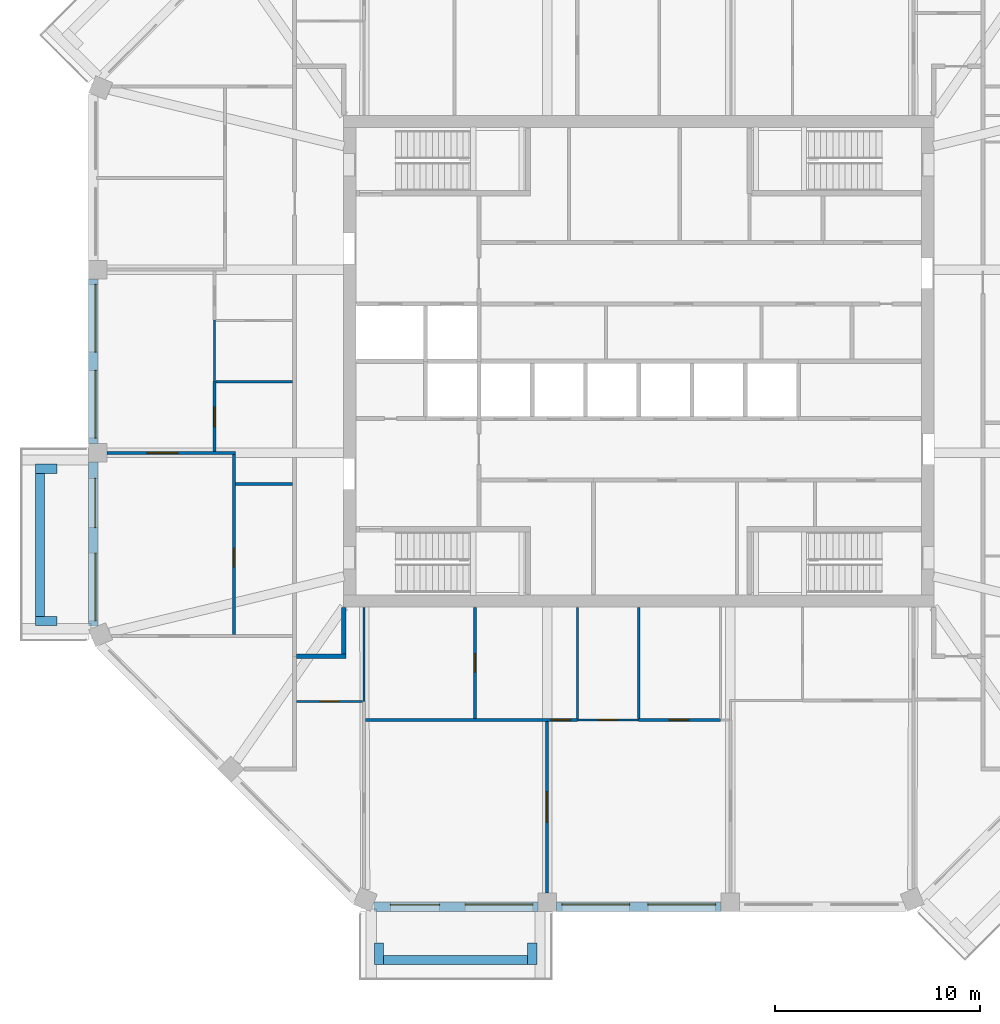
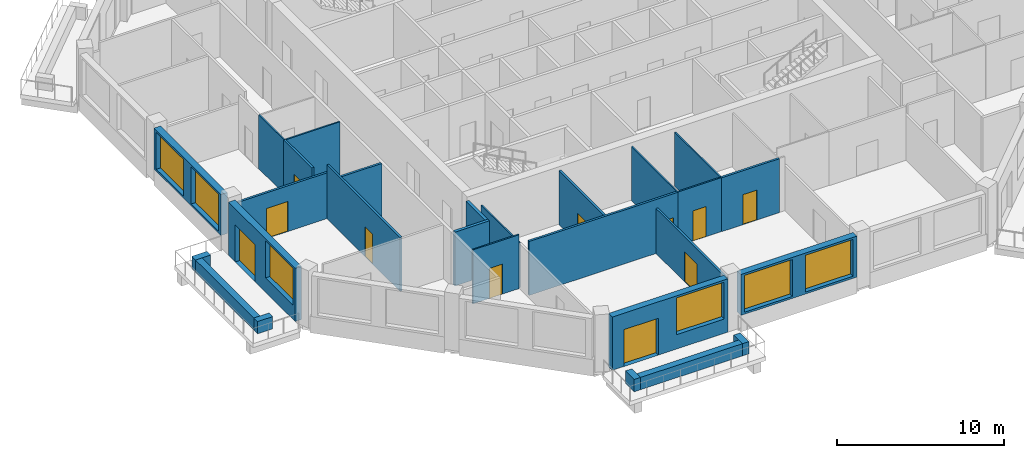
# One storey, part 3 of 11: 27 walls, 11 doors, 6 windows, 17 openings.
"""IFC4 building model written with IfcOpenShell, lengths in metres."""

from ifc_helpers import new_model, si_unit, direction, frame, frame_2d, origin, place, context, subcontext, project, spatial, rectangle, extrude, material, layer, layer_set, type_object, element, fill, save


model = new_model("IFC4")

# Units and contexts
model_context = context("Model", 3, precision=1e-05, world=origin(), true_north=direction((0.0, 1.0)))
body_context = subcontext(model_context, "Body", "Model", "MODEL_VIEW")
ifc_project = project(units=[si_unit("LENGTHUNIT", "METRE"), si_unit("AREAUNIT", "SQUARE_METRE"), si_unit("VOLUMEUNIT", "CUBIC_METRE"), si_unit("PLANEANGLEUNIT", "RADIAN"), si_unit("MASSUNIT", "GRAM", prefix="KILO")], contexts=[model_context])

# Site, building, storey
site_placement = place(None, origin())
site = spatial("IfcSite", under=ifc_project, at=site_placement, CompositionType="ELEMENT")
building_placement = place(site_placement, origin())
building = spatial("IfcBuilding", under=site, at=building_placement, Name="Msitu Wima Residences", CompositionType="ELEMENT")
storey_placement = place(building_placement, frame((0.0, 0.0, 302.10009765625)))
storey = spatial("IfcBuildingStorey", under=building, at=storey_placement, Name="L70", CompositionType="ELEMENT", Elevation=302.10009765625)

# Walls
ifc_material_1 = material(Name="Facing brick")
ifc_layer_1 = layer(ifc_material_1, 0.06494140625, Name="Facing brick")
ifc_material_2 = material(Name="Concrete C40/50", Category="concrete")
ifc_layer_2 = layer(ifc_material_2, 0.156005859375, Name="Concrete C40/50")
ifc_material_3 = material(Name="Waterproofing membrane")
ifc_layer_3 = layer(ifc_material_3, 0.00390625, Name="Waterproofing membrane")
ifc_material_4 = material(Name="Planting soil and planting")
ifc_layer_4 = layer(ifc_material_4, 0.22509765625, Name="Planting soil and planting")
ifc_layer_set_1 = layer_set([ifc_layer_1, ifc_layer_2, ifc_layer_3, ifc_layer_4], Name="Concrete C40/50")
wall_type_1 = type_object("IfcWallType", Name="Balcony planter PLANTER PL450", PredefinedType="USERDEFINED", material=ifc_layer_set_1)
wall_1_placement = place(storey_placement, frame((-29.22509765625, -5.468505859375, 0.0), z_axis=(0.0, 0.0, 1.0), x_axis=(0.0, -1.0, 0.0)))
element("IfcWall", 1, at=wall_1_placement, inside=storey, type_object=wall_type_1, Name="Balcony planter W2 L70", ObjectType="PLANTER", PredefinedType="USERDEFINED", context=body_context, shape_type="SweptSolid", body=[
    extrude(rectangle(XDim=6.9873046875, YDim=0.449951171875, at=frame_2d((3.49365234375, 0.0))), origin(), (0.0, 0.0, 1.0), 0.89990234375),
])
for number, where, z_axis, x_axis, name in (
    (2, (-28.39990234375, -5.24365234375, 0.0), (0.0, 0.0, 1.0), (-1.0, 0.0, 0.0), "Balcony planter W2 L70"),
    (3, (-28.39990234375, -12.680908203125, 0.0), (0.0, 0.0, 1.0), (-1.0, 0.0, 0.0), "Balcony planter W2 L70"),
):
    element("IfcWall", number, at=place(storey_placement, frame(where, z_axis=z_axis, x_axis=x_axis)), inside=storey, type_object=wall_type_1, Name=name, ObjectType="PLANTER", PredefinedType="USERDEFINED", context=body_context, shape_type="SweptSolid", body=[
        extrude(rectangle(XDim=1.050048828125, YDim=0.449951171875, at=frame_2d((0.52490234375, 0.0))), origin(), (0.0, 0.0, 1.0), 0.89990234375),
    ])
wall_2_placement = place(storey_placement, frame((-12.455810546875, -29.22509765625, 0.0), z_axis=(0.0, 0.0, 1.0), x_axis=(1.0, 0.0, 0.0)))
element("IfcWall", 4, at=wall_2_placement, inside=storey, type_object=wall_type_1, Name="Balcony planter S0 L70", ObjectType="PLANTER", PredefinedType="USERDEFINED", context=body_context, shape_type="SweptSolid", body=[
    extrude(rectangle(XDim=7.037109375, YDim=0.449951171875, at=frame_2d((3.5185546875, 0.0))), origin(), (0.0, 0.0, 1.0), 0.89990234375),
])
for number, where, z_axis, x_axis, name in (
    (5, (-12.680908203125, -28.39990234375, 0.0), (0.0, 0.0, 1.0), (0.0, -1.0, 0.0), "Balcony planter S0 L70"),
    (6, (-5.193603515625, -28.39990234375, 0.0), (0.0, 0.0, 1.0), (0.0, -1.0, 0.0), "Balcony planter S0 L70"),
):
    element("IfcWall", number, at=place(storey_placement, frame(where, z_axis=z_axis, x_axis=x_axis)), inside=storey, type_object=wall_type_1, Name=name, ObjectType="PLANTER", PredefinedType="USERDEFINED", context=body_context, shape_type="SweptSolid", body=[
        extrude(rectangle(XDim=1.050048828125, YDim=0.449951171875, at=frame_2d((0.52490234375, 0.0))), origin(), (0.0, 0.0, 1.0), 0.89990234375),
    ])

# Wall, openings, windows
ifc_material_5 = material(Name="Brick (red buff mix)", Category="masonry")
ifc_layer_5 = layer(ifc_material_5, 0.449951171875)
ifc_layer_set_2 = layer_set([ifc_layer_5], Name="Brick (red buff mix)")
wall_type_2 = type_object("IfcWallType", Name="Brick infill wall BW450", PredefinedType="SOLIDWALL", material=ifc_layer_set_2)
wall_3_placement = place(storey_placement, frame((-26.625, 4.0185546875, 0.89990234375), z_axis=(0.0, 0.0, 1.0), x_axis=(0.0, -1.0, 0.0)))
wall_3 = element("IfcWall", 7, at=wall_3_placement, inside=storey, type_object=wall_type_2, Name="Brick infill wall L70 W1", PredefinedType="SOLIDWALL", context=body_context, shape_type="SweptSolid", body=[
    extrude(rectangle(XDim=8.037109375, YDim=0.449951171875, at=frame_2d((4.0185546875, 0.0))), origin(), (0.0, 0.0, 1.0), 3.0),
])
opening_1_placement = place(wall_3_placement, frame((0.2685546875, 0.0, 0.14990234375)))
opening_1 = element("IfcOpeningElement", 8, at=opening_1_placement, cuts=wall_3, Name="Opening W68-70.031", PredefinedType="OPENING", context=body_context, shape_type="SweptSolid", body=[
    extrude(rectangle(XDim=3.300048828125, YDim=2.699951171875, at=frame_2d((1.64990234375, 1.35009765625))), frame((0.0, 0.23486328125, 0.0), z_axis=(0.0, -1.0, 0.0), x_axis=(1.0, 0.0, 0.0)), (0.0, 0.0, 1.0), 0.469970703125),
])
opening_2_placement = place(wall_3_placement, frame((4.46875, 0.0, 0.14990234375)))
opening_2 = element("IfcOpeningElement", 9, at=opening_2_placement, cuts=wall_3, Name="Opening W68-70.032", PredefinedType="OPENING", context=body_context, shape_type="SweptSolid", body=[
    extrude(rectangle(XDim=3.300048828125, YDim=2.699951171875, at=frame_2d((1.64990234375, 1.35009765625))), frame((0.0, 0.23486328125, 0.0), z_axis=(0.0, -1.0, 0.0), x_axis=(1.0, 0.0, 0.0)), (0.0, 0.0, 1.0), 0.469970703125),
])
ifc_material_6 = material(Name="Anodised aluminium, bronze finish, clear low-emissivity double glazing", Category="aluminium")
window_type = type_object("IfcWindowType", Name="Window W3300x2700", PartitioningType="DOUBLE_PANEL_VERTICAL", PredefinedType="WINDOW", material=ifc_material_6)
window_1_placement = place(opening_1_placement, origin())
window_1 = element("IfcWindow", 10, at=window_1_placement, inside=storey, type_object=window_type, Name="Window L70 W1.1", OverallHeight=2.699951171875, OverallWidth=3.300048828125, PartitioningType="SINGLE_PANEL", PredefinedType="WINDOW", context=body_context, shape_type="SweptSolid", body=[
    extrude(rectangle(XDim=3.300048828125, YDim=2.699951171875, at=frame_2d((1.64990234375, 1.35009765625))), frame((0.0, 0.135009765625, 0.0), z_axis=(0.0, -1.0, 0.0), x_axis=(1.0, 0.0, 0.0)), (0.0, 0.0, 1.0), 0.06005859375),
])
fill(opening_1, window_1)
window_2_placement = place(opening_2_placement, origin())
window_2 = element("IfcWindow", 11, at=window_2_placement, inside=storey, type_object=window_type, Name="Window L70 W1.2", OverallHeight=2.699951171875, OverallWidth=3.300048828125, PartitioningType="SINGLE_PANEL", PredefinedType="WINDOW", context=body_context, shape_type="SweptSolid", body=[
    extrude(rectangle(XDim=3.300048828125, YDim=2.699951171875, at=frame_2d((1.64990234375, 1.35009765625))), frame((0.0, 0.135009765625, 0.0), z_axis=(0.0, -1.0, 0.0), x_axis=(1.0, 0.0, 0.0)), (0.0, 0.0, 1.0), 0.06005859375),
])
fill(opening_2, window_2)

# Wall, openings, door, window
wall_4_placement = place(storey_placement, frame((-26.625, -4.918701171875, 0.0), z_axis=(0.0, 0.0, 1.0), x_axis=(0.0, -1.0, 0.0)))
wall_4 = element("IfcWall", 12, at=wall_4_placement, inside=storey, type_object=wall_type_2, Name="Brick infill wall L70 W2", PredefinedType="SOLIDWALL", context=body_context, shape_type="SweptSolid", body=[
    extrude(rectangle(XDim=8.0, YDim=0.449951171875, at=frame_2d((4.0, 0.0))), origin(), (0.0, 0.0, 1.0), 3.89990234375),
])
opening_3_placement = place(wall_4_placement, frame((0.800048828125, 0.0, 0.0)))
opening_3 = element("IfcOpeningElement", 13, at=opening_3_placement, cuts=wall_4, Name="Opening D68-70.007", PredefinedType="OPENING", context=body_context, shape_type="SweptSolid", body=[
    extrude(rectangle(XDim=2.39990234375, YDim=2.699951171875, at=frame_2d((1.199951171875, 1.35009765625))), frame((0.0, 0.23486328125, 0.0), z_axis=(0.0, -1.0, 0.0), x_axis=(1.0, 0.0, 0.0)), (0.0, 0.0, 1.0), 0.469970703125),
])
opening_4_placement = place(wall_4_placement, frame((4.4501953125, 0.0, 1.050048828125)))
opening_4 = element("IfcOpeningElement", 14, at=opening_4_placement, cuts=wall_4, Name="Opening W68-70.033", PredefinedType="OPENING", context=body_context, shape_type="SweptSolid", body=[
    extrude(rectangle(XDim=3.300048828125, YDim=2.699951171875, at=frame_2d((1.64990234375, 1.35009765625))), frame((0.0, 0.23486328125, 0.0), z_axis=(0.0, -1.0, 0.0), x_axis=(1.0, 0.0, 0.0)), (0.0, 0.0, 1.0), 0.469970703125),
])
door_type_1 = type_object("IfcDoorType", Name="Balcony door D2400x2700", OperationType="SLIDING_TO_LEFT", PredefinedType="DOOR", material=ifc_material_6)
door_1_placement = place(opening_3_placement, origin())
door_1 = element("IfcDoor", 15, at=door_1_placement, inside=storey, type_object=door_type_1, Name="Balcony door L70 W2", OperationType="SINGLE_SWING_LEFT", OverallHeight=2.699951171875, OverallWidth=2.39990234375, PredefinedType="DOOR", context=body_context, shape_type="SweptSolid", body=[
    extrude(rectangle(XDim=2.39990234375, YDim=2.699951171875, at=frame_2d((1.199951171875, 1.35009765625))), frame((0.0, 0.1298828125, 0.0), z_axis=(0.0, -1.0, 0.0), x_axis=(1.0, 0.0, 0.0)), (0.0, 0.0, 1.0), 0.050048828125),
])
fill(opening_3, door_1)
window_3_placement = place(opening_4_placement, origin())
window_3 = element("IfcWindow", 16, at=window_3_placement, inside=storey, type_object=window_type, Name="Window L70 W2.2", OverallHeight=2.699951171875, OverallWidth=3.300048828125, PartitioningType="SINGLE_PANEL", PredefinedType="WINDOW", context=body_context, shape_type="SweptSolid", body=[
    extrude(rectangle(XDim=3.300048828125, YDim=2.699951171875, at=frame_2d((1.64990234375, 1.35009765625))), frame((0.0, 0.135009765625, 0.0), z_axis=(0.0, -1.0, 0.0), x_axis=(1.0, 0.0, 0.0)), (0.0, 0.0, 1.0), 0.06005859375),
])
fill(opening_4, window_3)

wall_5_placement = place(storey_placement, frame((-12.918701171875, -26.625, 0.0), z_axis=(0.0, 0.0, 1.0), x_axis=(1.0, 0.0, 0.0)))
wall_5 = element("IfcWall", 17, at=wall_5_placement, inside=storey, type_object=wall_type_2, Name="Brick infill wall L70 S0", PredefinedType="SOLIDWALL", context=body_context, shape_type="SweptSolid", body=[
    extrude(rectangle(XDim=8.0, YDim=0.449951171875, at=frame_2d((4.0, 0.0))), origin(), (0.0, 0.0, 1.0), 3.89990234375),
])
opening_5_placement = place(wall_5_placement, frame((0.800048828125, 0.0, 0.0)))
opening_5 = element("IfcOpeningElement", 18, at=opening_5_placement, cuts=wall_5, Name="Opening D68-70.005", PredefinedType="OPENING", context=body_context, shape_type="SweptSolid", body=[
    extrude(rectangle(XDim=2.39990234375, YDim=2.699951171875, at=frame_2d((1.199951171875, 1.35009765625))), frame((0.0, 0.23486328125, 0.0), z_axis=(0.0, -1.0, 0.0), x_axis=(1.0, 0.0, 0.0)), (0.0, 0.0, 1.0), 0.469970703125),
])
opening_6_placement = place(wall_5_placement, frame((4.4501953125, 0.0, 1.050048828125)))
opening_6 = element("IfcOpeningElement", 19, at=opening_6_placement, cuts=wall_5, Name="Opening W68-70.017", PredefinedType="OPENING", context=body_context, shape_type="SweptSolid", body=[
    extrude(rectangle(XDim=3.300048828125, YDim=2.699951171875, at=frame_2d((1.64990234375, 1.35009765625))), frame((0.0, 0.23486328125, 0.0), z_axis=(0.0, -1.0, 0.0), x_axis=(1.0, 0.0, 0.0)), (0.0, 0.0, 1.0), 0.469970703125),
])
door_2_placement = place(opening_5_placement, origin())
door_2 = element("IfcDoor", 20, at=door_2_placement, inside=storey, type_object=door_type_1, Name="Balcony door L70 S0", OperationType="SINGLE_SWING_LEFT", OverallHeight=2.699951171875, OverallWidth=2.39990234375, PredefinedType="DOOR", context=body_context, shape_type="SweptSolid", body=[
    extrude(rectangle(XDim=2.39990234375, YDim=2.699951171875, at=frame_2d((1.199951171875, 1.35009765625))), frame((0.0, 0.1298828125, 0.0), z_axis=(0.0, -1.0, 0.0), x_axis=(1.0, 0.0, 0.0)), (0.0, 0.0, 1.0), 0.050048828125),
])
fill(opening_5, door_2)
window_4_placement = place(opening_6_placement, origin())
window_4 = element("IfcWindow", 21, at=window_4_placement, inside=storey, type_object=window_type, Name="Window L70 S0.2", OverallHeight=2.699951171875, OverallWidth=3.300048828125, PartitioningType="SINGLE_PANEL", PredefinedType="WINDOW", context=body_context, shape_type="SweptSolid", body=[
    extrude(rectangle(XDim=3.300048828125, YDim=2.699951171875, at=frame_2d((1.64990234375, 1.35009765625))), frame((0.0, 0.135009765625, 0.0), z_axis=(0.0, -1.0, 0.0), x_axis=(1.0, 0.0, 0.0)), (0.0, 0.0, 1.0), 0.06005859375),
])
fill(opening_6, window_4)

# Wall, openings, windows
wall_6_placement = place(storey_placement, frame((-4.0185546875, -26.625, 0.89990234375), z_axis=(0.0, 0.0, 1.0), x_axis=(1.0, 0.0, 0.0)))
wall_6 = element("IfcWall", 22, at=wall_6_placement, inside=storey, type_object=wall_type_2, Name="Brick infill wall L70 S1", PredefinedType="SOLIDWALL", context=body_context, shape_type="SweptSolid", body=[
    extrude(rectangle(XDim=8.037109375, YDim=0.449951171875, at=frame_2d((4.0185546875, 0.0))), origin(), (0.0, 0.0, 1.0), 3.0),
])
opening_7_placement = place(wall_6_placement, frame((0.2685546875, 0.0, 0.14990234375)))
opening_7 = element("IfcOpeningElement", 23, at=opening_7_placement, cuts=wall_6, Name="Opening W68-70.018", PredefinedType="OPENING", context=body_context, shape_type="SweptSolid", body=[
    extrude(rectangle(XDim=3.300048828125, YDim=2.699951171875, at=frame_2d((1.64990234375, 1.35009765625))), frame((0.0, 0.23486328125, 0.0), z_axis=(0.0, -1.0, 0.0), x_axis=(1.0, 0.0, 0.0)), (0.0, 0.0, 1.0), 0.469970703125),
])
opening_8_placement = place(wall_6_placement, frame((4.46875, 0.0, 0.14990234375)))
opening_8 = element("IfcOpeningElement", 24, at=opening_8_placement, cuts=wall_6, Name="Opening W68-70.019", PredefinedType="OPENING", context=body_context, shape_type="SweptSolid", body=[
    extrude(rectangle(XDim=3.300048828125, YDim=2.699951171875, at=frame_2d((1.64990234375, 1.35009765625))), frame((0.0, 0.23486328125, 0.0), z_axis=(0.0, -1.0, 0.0), x_axis=(1.0, 0.0, 0.0)), (0.0, 0.0, 1.0), 0.469970703125),
])
window_5_placement = place(opening_7_placement, origin())
window_5 = element("IfcWindow", 25, at=window_5_placement, inside=storey, type_object=window_type, Name="Window L70 S1.1", OverallHeight=2.699951171875, OverallWidth=3.300048828125, PartitioningType="SINGLE_PANEL", PredefinedType="WINDOW", context=body_context, shape_type="SweptSolid", body=[
    extrude(rectangle(XDim=3.300048828125, YDim=2.699951171875, at=frame_2d((1.64990234375, 1.35009765625))), frame((0.0, 0.135009765625, 0.0), z_axis=(0.0, -1.0, 0.0), x_axis=(1.0, 0.0, 0.0)), (0.0, 0.0, 1.0), 0.06005859375),
])
fill(opening_7, window_5)
window_6_placement = place(opening_8_placement, origin())
window_6 = element("IfcWindow", 26, at=window_6_placement, inside=storey, type_object=window_type, Name="Window L70 S1.2", OverallHeight=2.699951171875, OverallWidth=3.300048828125, PartitioningType="SINGLE_PANEL", PredefinedType="WINDOW", context=body_context, shape_type="SweptSolid", body=[
    extrude(rectangle(XDim=3.300048828125, YDim=2.699951171875, at=frame_2d((1.64990234375, 1.35009765625))), frame((0.0, 0.135009765625, 0.0), z_axis=(0.0, -1.0, 0.0), x_axis=(1.0, 0.0, 0.0)), (0.0, 0.0, 1.0), 0.06005859375),
])
fill(opening_8, window_6)

# Walls
ifc_material_7 = material(Name="Plaster")
ifc_layer_6 = layer(ifc_material_7, 0.011962890625, Name="Plaster")
ifc_material_8 = material(Name="Concrete blockwork", Category="masonry")
ifc_layer_7 = layer(ifc_material_8, 0.176025390625, Name="Concrete blockwork")
ifc_layer_8 = layer(ifc_material_7, 0.011962890625, Name="Plaster")
ifc_layer_set_3 = layer_set([ifc_layer_6, ifc_layer_7, ifc_layer_8], Name="Concrete blockwork")
wall_type_3 = type_object("IfcWallType", Name="Corridor wall FW200", PredefinedType="PARTITIONING", material=ifc_layer_set_3)
wall_7_placement = place(storey_placement, frame((-16.699951171875, -14.39990234375, 0.0), z_axis=(0.0, 0.0, 1.0), x_axis=(1.0, 0.0, 0.0)))
element("IfcWall", 27, at=wall_7_placement, inside=storey, type_object=wall_type_3, Name="Corridor wall", PredefinedType="PARTITIONING", context=body_context, shape_type="SweptSolid", body=[
    extrude(rectangle(XDim=2.39990234375, YDim=0.199951171875, at=frame_2d((1.199951171875, 0.0))), origin(), (0.0, 0.0, 1.0), 3.949951171875),
])
wall_8_placement = place(storey_placement, frame((-14.39990234375, -14.300048828125, 0.0), z_axis=(0.0, 0.0, 1.0), x_axis=(0.0, 1.0, 0.0)))
element("IfcWall", 28, at=wall_8_placement, inside=storey, type_object=wall_type_3, Name="Corridor wall", PredefinedType="PARTITIONING", context=body_context, shape_type="SweptSolid", body=[
    extrude(rectangle(XDim=2.27001953125, YDim=0.199951171875, at=frame_2d((1.135009765625, 0.0))), origin(), (0.0, 0.0, 1.0), 3.949951171875),
])

# Wall, opening, door
ifc_layer_9 = layer(ifc_material_7, 0.011962890625, Name="Plaster")
ifc_layer_10 = layer(ifc_material_8, 0.1259765625, Name="Concrete blockwork")
ifc_layer_11 = layer(ifc_material_7, 0.011962890625, Name="Plaster")
ifc_layer_set_4 = layer_set([ifc_layer_9, ifc_layer_10, ifc_layer_11], Name="Concrete blockwork")
wall_type_4 = type_object("IfcWallType", Name="Partition PW150", PredefinedType="PARTITIONING", material=ifc_layer_set_4)
wall_9_placement = place(storey_placement, frame((-25.949951171875, -4.46875, 0.0), z_axis=(0.0, 0.0, 1.0), x_axis=(1.0, 0.0, 0.0)))
wall_9 = element("IfcWall", 29, at=wall_9_placement, inside=storey, type_object=wall_type_4, Name="Partition", PredefinedType="PARTITIONING", context=body_context, shape_type="SweptSolid", body=[
    extrude(rectangle(XDim=6.27490234375, YDim=0.14990234375, at=frame_2d((3.137451171875, 0.0))), origin(), (0.0, 0.0, 1.0), 3.349853515625),
])
opening_9_placement = place(wall_9_placement, frame((1.949951171875, 0.0, 0.0)))
opening_9 = element("IfcOpeningElement", 30, at=opening_9_placement, cuts=wall_9, Name="Opening D68-70.040", PredefinedType="OPENING", context=body_context, shape_type="SweptSolid", body=[
    extrude(rectangle(XDim=1.5, YDim=2.199951171875, at=frame_2d((0.75, 1.10009765625))), frame((0.0, 0.0849609375, 0.0), z_axis=(0.0, -1.0, 0.0), x_axis=(1.0, 0.0, 0.0)), (0.0, 0.0, 1.0), 0.169921875),
])
ifc_material_9 = material(Name="Timber double door", Category="wood")
door_type_2 = type_object("IfcDoorType", Name="Double door D04 1500x2200", OperationType="DOUBLE_DOOR_SINGLE_SWING", PredefinedType="DOOR", material=ifc_material_9)
door_3_placement = place(opening_9_placement, origin())
door_3 = element("IfcDoor", 31, at=door_3_placement, inside=storey, type_object=door_type_2, Name="Double door", OperationType="DOUBLE_DOOR_SINGLE_SWING", OverallHeight=2.199951171875, OverallWidth=1.5, PredefinedType="DOOR", context=body_context, shape_type="SweptSolid", body=[
    extrude(rectangle(XDim=1.5, YDim=2.199951171875, at=frame_2d((0.75, 1.10009765625))), frame((0.0, 0.02490234375, 0.0), z_axis=(0.0, -1.0, 0.0), x_axis=(1.0, 0.0, 0.0)), (0.0, 0.0, 1.0), 0.050048828125),
])
fill(opening_9, door_3)

wall_10_placement = place(storey_placement, frame((-20.699951171875, -4.3935546875, 0.0), z_axis=(0.0, 0.0, 1.0), x_axis=(0.0, 1.0, 0.0)))
wall_10 = element("IfcWall", 32, at=wall_10_placement, inside=storey, type_object=wall_type_4, Name="Partition", PredefinedType="PARTITIONING", context=body_context, shape_type="SweptSolid", body=[
    extrude(rectangle(XDim=3.3935546875, YDim=0.14990234375, at=frame_2d((1.69677734375, 0.0))), origin(), (0.0, 0.0, 1.0), 3.949951171875),
])
opening_10_placement = place(wall_10_placement, frame((1.199951171875, 0.0, 0.0)))
opening_10 = element("IfcOpeningElement", 33, at=opening_10_placement, cuts=wall_10, Name="Opening D68-70.042", PredefinedType="OPENING", context=body_context, shape_type="SweptSolid", body=[
    extrude(rectangle(XDim=0.949951171875, YDim=2.199951171875, at=frame_2d((0.47509765625, 1.10009765625))), frame((0.0, 0.0849609375, 0.0), z_axis=(0.0, -1.0, 0.0), x_axis=(1.0, 0.0, 0.0)), (0.0, 0.0, 1.0), 0.169921875),
])
ifc_material_10 = material(Name="Timber flush door", Category="wood")
door_type_3 = type_object("IfcDoorType", Name="Room door D12 950x2200", OperationType="SINGLE_SWING_LEFT", PredefinedType="DOOR", material=ifc_material_10)
door_4_placement = place(opening_10_placement, origin())
door_4 = element("IfcDoor", 34, at=door_4_placement, inside=storey, type_object=door_type_3, Name="Room door", OperationType="SINGLE_SWING_LEFT", OverallHeight=2.199951171875, OverallWidth=0.949951171875, PredefinedType="DOOR", context=body_context, shape_type="SweptSolid", body=[
    extrude(rectangle(XDim=0.949951171875, YDim=2.199951171875, at=frame_2d((0.47509765625, 1.10009765625))), frame((0.0, 0.02490234375, 0.0), z_axis=(0.0, -1.0, 0.0), x_axis=(1.0, 0.0, 0.0)), (0.0, 0.0, 1.0), 0.050048828125),
])
fill(opening_10, door_4)

wall_11_placement = place(storey_placement, frame((-19.75, -13.330810546875, 0.0), z_axis=(0.0, 0.0, 1.0), x_axis=(0.0, 1.0, 0.0)))
wall_11 = element("IfcWall", 35, at=wall_11_placement, inside=storey, type_object=wall_type_4, Name="Partition", PredefinedType="PARTITIONING", context=body_context, shape_type="SweptSolid", body=[
    extrude(rectangle(XDim=8.787109375, YDim=0.14990234375, at=frame_2d((4.3935546875, 0.0))), origin(), (0.0, 0.0, 1.0), 3.949951171875),
])
opening_11_placement = place(wall_11_placement, frame((3.300048828125, 0.0, 0.0)))
opening_11 = element("IfcOpeningElement", 36, at=opening_11_placement, cuts=wall_11, Name="Opening D68-70.043", PredefinedType="OPENING", context=body_context, shape_type="SweptSolid", body=[
    extrude(rectangle(XDim=0.89990234375, YDim=2.199951171875, at=frame_2d((0.449951171875, 1.10009765625))), frame((0.0, 0.0849609375, 0.0), z_axis=(0.0, -1.0, 0.0), x_axis=(1.0, 0.0, 0.0)), (0.0, 0.0, 1.0), 0.169921875),
])
door_type_4 = type_object("IfcDoorType", Name="Service door D05 900x2200", OperationType="SINGLE_SWING_LEFT", PredefinedType="DOOR", material=ifc_material_10)
door_5_placement = place(opening_11_placement, origin())
door_5 = element("IfcDoor", 37, at=door_5_placement, inside=storey, type_object=door_type_4, Name="Service door", OperationType="SINGLE_SWING_RIGHT", OverallHeight=2.199951171875, OverallWidth=0.89990234375, PredefinedType="DOOR", context=body_context, shape_type="SweptSolid", body=[
    extrude(rectangle(XDim=0.89990234375, YDim=2.199951171875, at=frame_2d((0.449951171875, 1.10009765625))), frame((0.0, 0.02490234375, 0.0), z_axis=(0.0, -1.0, 0.0), x_axis=(1.0, 0.0, 0.0)), (0.0, 0.0, 1.0), 0.050048828125),
])
fill(opening_11, door_5)

# Wall
wall_12_placement = place(storey_placement, frame((-19.675048828125, -6.0, 0.0), z_axis=(0.0, 0.0, 1.0), x_axis=(1.0, 0.0, 0.0)))
element("IfcWall", 38, at=wall_12_placement, inside=storey, type_object=wall_type_4, Name="Partition", PredefinedType="PARTITIONING", context=body_context, shape_type="SweptSolid", body=[
    extrude(rectangle(XDim=2.775146484375, YDim=0.14990234375, at=frame_2d((1.3876953125, 0.0))), origin(), (0.0, 0.0, 1.0), 3.949951171875),
])

# Wall, opening, door
wall_13_placement = place(storey_placement, frame((-13.330810546875, -17.5, 0.0), z_axis=(0.0, 0.0, 1.0), x_axis=(1.0, 0.0, 0.0)))
wall_13 = element("IfcWall", 39, at=wall_13_placement, inside=storey, type_object=wall_type_4, Name="Partition", PredefinedType="PARTITIONING", context=body_context, shape_type="SweptSolid", body=[
    extrude(rectangle(XDim=10.330810546875, YDim=0.14990234375, at=frame_2d((5.16552734375, 0.0))), origin(), (0.0, 0.0, 1.0), 3.949951171875),
])
opening_12_placement = place(wall_13_placement, frame((9.050048828125, 0.0, 0.0)))
opening_12 = element("IfcOpeningElement", 40, at=opening_12_placement, cuts=wall_13, Name="Opening D68-70.053", PredefinedType="OPENING", context=body_context, shape_type="SweptSolid", body=[
    extrude(rectangle(XDim=0.949951171875, YDim=2.199951171875, at=frame_2d((0.47509765625, 1.10009765625))), frame((0.0, 0.0849609375, 0.0), z_axis=(0.0, -1.0, 0.0), x_axis=(1.0, 0.0, 0.0)), (0.0, 0.0, 1.0), 0.169921875),
])
door_6_placement = place(opening_12_placement, origin())
door_6 = element("IfcDoor", 41, at=door_6_placement, inside=storey, type_object=door_type_3, Name="Room door", OperationType="SINGLE_SWING_RIGHT", OverallHeight=2.199951171875, OverallWidth=0.949951171875, PredefinedType="DOOR", context=body_context, shape_type="SweptSolid", body=[
    extrude(rectangle(XDim=0.949951171875, YDim=2.199951171875, at=frame_2d((0.47509765625, 1.10009765625))), frame((0.0, 0.02490234375, 0.0), z_axis=(0.0, -1.0, 0.0), x_axis=(1.0, 0.0, 0.0)), (0.0, 0.0, 1.0), 0.050048828125),
])
fill(opening_12, door_6)

wall_14_placement = place(storey_placement, frame((-8.0, -17.425048828125, 0.0), z_axis=(0.0, 0.0, 1.0), x_axis=(0.0, 1.0, 0.0)))
wall_14 = element("IfcWall", 42, at=wall_14_placement, inside=storey, type_object=wall_type_4, Name="Partition", PredefinedType="PARTITIONING", context=body_context, shape_type="SweptSolid", body=[
    extrude(rectangle(XDim=5.39501953125, YDim=0.14990234375, at=frame_2d((2.697509765625, 0.0))), origin(), (0.0, 0.0, 1.0), 3.949951171875),
])
opening_13_placement = place(wall_14_placement, frame((2.25, 0.0, 0.0)))
opening_13 = element("IfcOpeningElement", 43, at=opening_13_placement, cuts=wall_14, Name="Opening D68-70.047", PredefinedType="OPENING", context=body_context, shape_type="SweptSolid", body=[
    extrude(rectangle(XDim=0.89990234375, YDim=2.199951171875, at=frame_2d((0.449951171875, 1.10009765625))), frame((0.0, 0.0849609375, 0.0), z_axis=(0.0, -1.0, 0.0), x_axis=(1.0, 0.0, 0.0)), (0.0, 0.0, 1.0), 0.169921875),
])
door_7_placement = place(opening_13_placement, origin())
door_7 = element("IfcDoor", 44, at=door_7_placement, inside=storey, type_object=door_type_4, Name="Service door", OperationType="SINGLE_SWING_LEFT", OverallHeight=2.199951171875, OverallWidth=0.89990234375, PredefinedType="DOOR", context=body_context, shape_type="SweptSolid", body=[
    extrude(rectangle(XDim=0.89990234375, YDim=2.199951171875, at=frame_2d((0.449951171875, 1.10009765625))), frame((0.0, 0.02490234375, 0.0), z_axis=(0.0, -1.0, 0.0), x_axis=(1.0, 0.0, 0.0)), (0.0, 0.0, 1.0), 0.050048828125),
])
fill(opening_13, door_7)

wall_15_placement = place(storey_placement, frame((-4.46875, -25.949951171875, 0.0), z_axis=(0.0, 0.0, 1.0), x_axis=(0.0, 1.0, 0.0)))
wall_15 = element("IfcWall", 45, at=wall_15_placement, inside=storey, type_object=wall_type_4, Name="Partition", PredefinedType="PARTITIONING", context=body_context, shape_type="SweptSolid", body=[
    extrude(rectangle(XDim=8.375, YDim=0.14990234375, at=frame_2d((4.1875, 0.0))), origin(), (0.0, 0.0, 1.0), 3.2998046875),
])
opening_14_placement = place(wall_15_placement, frame((3.449951171875, 0.0, 0.0)))
opening_14 = element("IfcOpeningElement", 46, at=opening_14_placement, cuts=wall_15, Name="Opening D68-70.056", PredefinedType="OPENING", context=body_context, shape_type="SweptSolid", body=[
    extrude(rectangle(XDim=1.5, YDim=2.199951171875, at=frame_2d((0.75, 1.10009765625))), frame((0.0, 0.0849609375, 0.0), z_axis=(0.0, -1.0, 0.0), x_axis=(1.0, 0.0, 0.0)), (0.0, 0.0, 1.0), 0.169921875),
])
door_8_placement = place(opening_14_placement, origin())
door_8 = element("IfcDoor", 47, at=door_8_placement, inside=storey, type_object=door_type_2, Name="Double door", OperationType="DOUBLE_DOOR_SINGLE_SWING", OverallHeight=2.199951171875, OverallWidth=1.5, PredefinedType="DOOR", context=body_context, shape_type="SweptSolid", body=[
    extrude(rectangle(XDim=1.5, YDim=2.199951171875, at=frame_2d((0.75, 1.10009765625))), frame((0.0, 0.02490234375, 0.0), z_axis=(0.0, -1.0, 0.0), x_axis=(1.0, 0.0, 0.0)), (0.0, 0.0, 1.0), 0.050048828125),
])
fill(opening_14, door_8)

wall_16_placement = place(storey_placement, frame((0.0, -17.5, 0.0), z_axis=(0.0, 0.0, 1.0), x_axis=(1.0, 0.0, 0.0)))
wall_16 = element("IfcWall", 48, at=wall_16_placement, inside=storey, type_object=wall_type_4, Name="Partition", PredefinedType="PARTITIONING", context=body_context, shape_type="SweptSolid", body=[
    extrude(rectangle(XDim=4.0, YDim=0.14990234375, at=frame_2d((2.0, 0.0))), origin(), (0.0, 0.0, 1.0), 3.949951171875),
])
opening_15_placement = place(wall_16_placement, frame((1.5, 0.0, 0.0)))
opening_15 = element("IfcOpeningElement", 49, at=opening_15_placement, cuts=wall_16, Name="Opening D68-70.055", PredefinedType="OPENING", context=body_context, shape_type="SweptSolid", body=[
    extrude(rectangle(XDim=0.949951171875, YDim=2.199951171875, at=frame_2d((0.47509765625, 1.10009765625))), frame((0.0, 0.0849609375, 0.0), z_axis=(0.0, -1.0, 0.0), x_axis=(1.0, 0.0, 0.0)), (0.0, 0.0, 1.0), 0.169921875),
])
door_9_placement = place(opening_15_placement, origin())
door_9 = element("IfcDoor", 50, at=door_9_placement, inside=storey, type_object=door_type_3, Name="Room door", OperationType="SINGLE_SWING_LEFT", OverallHeight=2.199951171875, OverallWidth=0.949951171875, PredefinedType="DOOR", context=body_context, shape_type="SweptSolid", body=[
    extrude(rectangle(XDim=0.949951171875, YDim=2.199951171875, at=frame_2d((0.47509765625, 1.10009765625))), frame((0.0, 0.02490234375, 0.0), z_axis=(0.0, -1.0, 0.0), x_axis=(1.0, 0.0, 0.0)), (0.0, 0.0, 1.0), 0.050048828125),
])
fill(opening_15, door_9)

# Walls
ifc_material_11 = material(Name="Ceramic tiles")
ifc_layer_12 = layer(ifc_material_11, 0.008056640625, Name="Ceramic tiles")
ifc_material_12 = material(Name="Moisture-resistant board")
ifc_layer_13 = layer(ifc_material_12, 0.012451171875, Name="Moisture-resistant board")
ifc_material_13 = material(Name="Light-gauge stud framing with mineral wool")
ifc_layer_14 = layer(ifc_material_13, 0.06689453125, Name="Light-gauge stud framing with mineral wool")
ifc_layer_15 = layer(ifc_material_12, 0.012451171875, Name="Moisture-resistant board")
ifc_layer_set_5 = layer_set([ifc_layer_12, ifc_layer_13, ifc_layer_14, ifc_layer_15], Name="Light-gauge stud framing with mineral wool")
wall_type_5 = type_object("IfcWallType", Name="Wet wall PW100", PredefinedType="PARTITIONING", material=ifc_layer_set_5)
wall_17_placement = place(storey_placement, frame((-20.699951171875, -1.0, 0.0), z_axis=(0.0, 0.0, 1.0), x_axis=(0.0, 1.0, 0.0)))
element("IfcWall", 51, at=wall_17_placement, inside=storey, type_object=wall_type_5, Name="Wet wall", PredefinedType="PARTITIONING", context=body_context, shape_type="SweptSolid", body=[
    extrude(rectangle(XDim=3.02001953125, YDim=0.10009765625, at=frame_2d((1.510009765625, 0.0))), origin(), (0.0, 0.0, 1.0), 3.949951171875),
])
wall_18_placement = place(storey_placement, frame((-20.625, -1.0, 0.0), z_axis=(0.0, 0.0, 1.0), x_axis=(1.0, 0.0, 0.0)))
element("IfcWall", 52, at=wall_18_placement, inside=storey, type_object=wall_type_5, Name="Wet wall", PredefinedType="PARTITIONING", context=body_context, shape_type="SweptSolid", body=[
    extrude(rectangle(XDim=3.72509765625, YDim=0.10009765625, at=frame_2d((1.862548828125, 0.0))), origin(), (0.0, 0.0, 1.0), 3.949951171875),
])

# Wall, opening, door
wall_19_placement = place(storey_placement, frame((-16.699951171875, -16.60009765625, 0.0), z_axis=(0.0, 0.0, 1.0), x_axis=(1.0, 0.0, 0.0)))
wall_19 = element("IfcWall", 53, at=wall_19_placement, inside=storey, type_object=wall_type_5, Name="Wet wall", PredefinedType="PARTITIONING", context=body_context, shape_type="SweptSolid", body=[
    extrude(rectangle(XDim=3.218994140625, YDim=0.10009765625, at=frame_2d((1.609375, 0.0))), origin(), (0.0, 0.0, 1.0), 3.949951171875),
])
opening_16_placement = place(wall_19_placement, frame((1.14990234375, 0.0, 0.0)))
opening_16 = element("IfcOpeningElement", 54, at=opening_16_placement, cuts=wall_19, Name="Opening D68-70.048", PredefinedType="OPENING", context=body_context, shape_type="SweptSolid", body=[
    extrude(rectangle(XDim=0.89990234375, YDim=2.199951171875, at=frame_2d((0.449951171875, 1.10009765625))), frame((0.0, 0.06005859375, 0.0), z_axis=(0.0, -1.0, 0.0), x_axis=(1.0, 0.0, 0.0)), (0.0, 0.0, 1.0), 0.1201171875),
])
ifc_material_14 = material(Name="Timber flush door, moisture resistant", Category="wood")
door_type_5 = type_object("IfcDoorType", Name="Bathroom door D03 900x2200", OperationType="SINGLE_SWING_LEFT", PredefinedType="DOOR", material=ifc_material_14)
door_10_placement = place(opening_16_placement, origin())
door_10 = element("IfcDoor", 55, at=door_10_placement, inside=storey, type_object=door_type_5, Name="Bathroom door", OperationType="SINGLE_SWING_LEFT", OverallHeight=2.199951171875, OverallWidth=0.89990234375, PredefinedType="DOOR", context=body_context, shape_type="SweptSolid", body=[
    extrude(rectangle(XDim=0.89990234375, YDim=2.199951171875, at=frame_2d((0.449951171875, 1.10009765625))), frame((0.0, 0.02490234375, 0.0), z_axis=(0.0, -1.0, 0.0), x_axis=(1.0, 0.0, 0.0)), (0.0, 0.0, 1.0), 0.050048828125),
])
fill(opening_16, door_10)

# Wall
wall_20_placement = place(storey_placement, frame((-13.406005859375, -16.60009765625, 0.0), z_axis=(0.0, 0.0, 1.0), x_axis=(0.0, 1.0, 0.0)))
element("IfcWall", 56, at=wall_20_placement, inside=storey, type_object=wall_type_5, Name="Wet wall", PredefinedType="PARTITIONING", context=body_context, shape_type="SweptSolid", body=[
    extrude(rectangle(XDim=4.570068359375, YDim=0.10009765625, at=frame_2d((2.28515625, 0.0))), origin(), (0.0, 0.0, 1.0), 3.2998046875),
])

# Wall, opening, door
wall_21_placement = place(storey_placement, frame((-3.0, -17.5, 0.0), z_axis=(0.0, 0.0, 1.0), x_axis=(1.0, 0.0, 0.0)))
wall_21 = element("IfcWall", 57, at=wall_21_placement, inside=storey, type_object=wall_type_5, Name="Wet wall", PredefinedType="PARTITIONING", context=body_context, shape_type="SweptSolid", body=[
    extrude(rectangle(XDim=3.0, YDim=0.10009765625, at=frame_2d((1.5, 0.0))), origin(), (0.0, 0.0, 1.0), 3.949951171875),
])
opening_17_placement = place(wall_21_placement, frame((1.050048828125, 0.0, 0.0)))
opening_17 = element("IfcOpeningElement", 58, at=opening_17_placement, cuts=wall_21, Name="Opening D68-70.054", PredefinedType="OPENING", context=body_context, shape_type="SweptSolid", body=[
    extrude(rectangle(XDim=0.89990234375, YDim=2.199951171875, at=frame_2d((0.449951171875, 1.10009765625))), frame((0.0, 0.06005859375, 0.0), z_axis=(0.0, -1.0, 0.0), x_axis=(1.0, 0.0, 0.0)), (0.0, 0.0, 1.0), 0.1201171875),
])
door_11_placement = place(opening_17_placement, origin())
door_11 = element("IfcDoor", 59, at=door_11_placement, inside=storey, type_object=door_type_5, Name="Bathroom door", OperationType="SINGLE_SWING_RIGHT", OverallHeight=2.199951171875, OverallWidth=0.89990234375, PredefinedType="DOOR", context=body_context, shape_type="SweptSolid", body=[
    extrude(rectangle(XDim=0.89990234375, YDim=2.199951171875, at=frame_2d((0.449951171875, 1.10009765625))), frame((0.0, 0.02490234375, 0.0), z_axis=(0.0, -1.0, 0.0), x_axis=(1.0, 0.0, 0.0)), (0.0, 0.0, 1.0), 0.050048828125),
])
fill(opening_17, door_11)

# Walls
wall_22_placement = place(storey_placement, frame((-3.0, -17.449951171875, 0.0), z_axis=(0.0, 0.0, 1.0), x_axis=(0.0, 1.0, 0.0)))
element("IfcWall", 60, at=wall_22_placement, inside=storey, type_object=wall_type_5, Name="Wet wall", PredefinedType="PARTITIONING", context=body_context, shape_type="SweptSolid", body=[
    extrude(rectangle(XDim=5.419921875, YDim=0.10009765625, at=frame_2d((2.7099609375, 0.0))), origin(), (0.0, 0.0, 1.0), 3.949951171875),
])
wall_23_placement = place(storey_placement, frame((0.0, -17.425048828125, 0.0), z_axis=(0.0, 0.0, 1.0), x_axis=(0.0, 1.0, 0.0)))
element("IfcWall", 61, at=wall_23_placement, inside=storey, type_object=wall_type_5, Name="Wet wall", PredefinedType="PARTITIONING", context=body_context, shape_type="SweptSolid", body=[
    extrude(rectangle(XDim=5.39501953125, YDim=0.10009765625, at=frame_2d((2.697509765625, 0.0))), origin(), (0.0, 0.0, 1.0), 3.949951171875),
])

save(model, "model.ifc")
